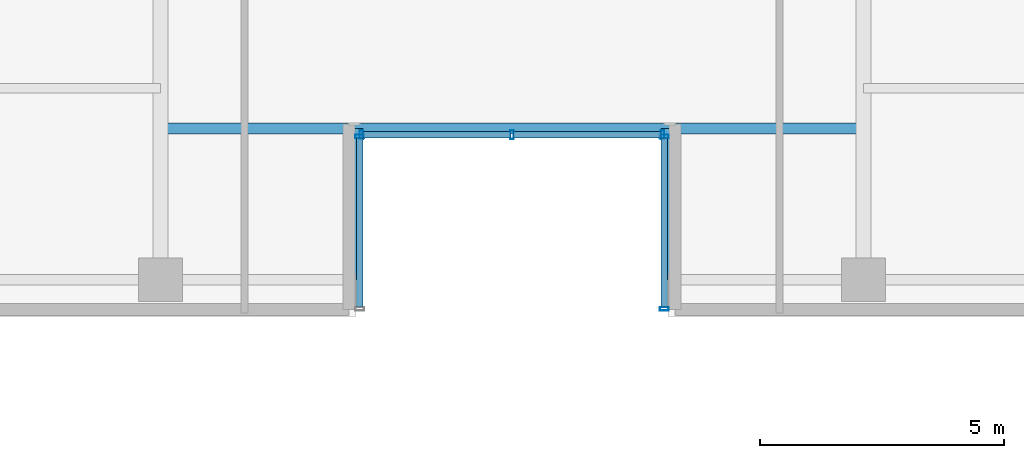
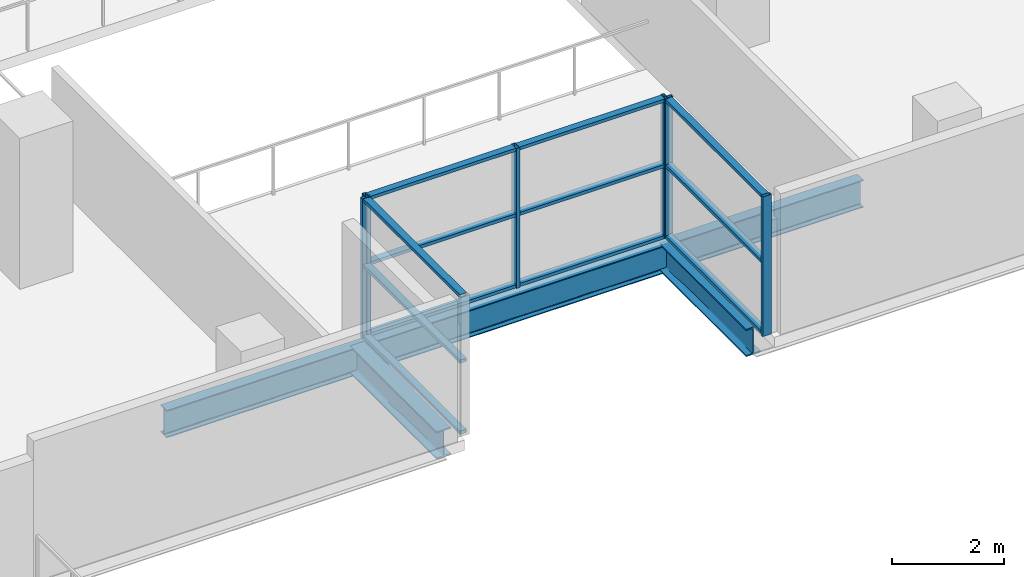
# One storey, part 6 of 26: 18 members, 3 beams, 3 elements without a shape of their own.
"""IFC4 building model written with IfcOpenShell, lengths in metres."""

from ifc_helpers import new_model, si_unit, direction, frame, origin, origin_2d, place, context, subcontext, project, spatial, hollow_rectangle, i_section, extrude, source, transform, mapped, material, layer, layer_set, material_profile, profile_set, type_object, element, aggregate, save


model = new_model("IFC4")

# Units and contexts
model_context = context("Model", 3, precision=1e-05, world=origin(), true_north=direction((0.0, 1.0)))
body_context = subcontext(model_context, "Body", "Model", "MODEL_VIEW")
ifc_project = project(units=[si_unit("LENGTHUNIT", "METRE"), si_unit("AREAUNIT", "SQUARE_METRE"), si_unit("VOLUMEUNIT", "CUBIC_METRE"), si_unit("PLANEANGLEUNIT", "RADIAN"), si_unit("MASSUNIT", "GRAM", prefix="KILO")], contexts=[model_context])

# Site, building, storey
site_placement = place(None, origin())
site = spatial("IfcSite", under=ifc_project, at=site_placement, CompositionType="ELEMENT")
building_placement = place(site_placement, origin())
building = spatial("IfcBuilding", under=site, at=building_placement, Name="Zarnakvel Exchange Tower", CompositionType="ELEMENT")
storey_placement = place(building_placement, frame((0.0, 0.0, 63.699951171875)))
storey = spatial("IfcBuildingStorey", under=building, at=storey_placement, Name="L17", CompositionType="ELEMENT", Elevation=63.699951171875)

# Beams
ifc_material_1 = material(Name="Steel S355", Category="steel")
ifc_material_profile_1 = material_profile(ifc_material_1, i_section(OverallWidth=0.300048828125, OverallDepth=0.60009765625, WebThickness=0.015380859375, FlangeThickness=0.030029296875, FilletRadius=0.027099609375, at=origin_2d()))
ifc_profile_set_1 = profile_set([ifc_material_profile_1], Name="Steel S355")
beam_type_1 = type_object("IfcBeamType", Name="G-04", PredefinedType="BEAM", material=ifc_profile_set_1)
for number, where, z_axis, x_axis, name in (
    (1, (-3.199951171875, -17.449951171875, -0.52490234375), (0.0, 1.0, 0.0), (-1.0, 0.0, 0.0), "L17 South Slot West Cheek Beam"),
    (2, (3.199951171875, -17.449951171875, -0.52490234375), (0.0, 1.0, 0.0), (-1.0, 0.0, 0.0), "L17 South Slot East Cheek Beam"),
):
    element("IfcBeam", number, at=place(storey_placement, frame(where, z_axis=z_axis, x_axis=x_axis)), inside=storey, type_object=beam_type_1, Name=name, PredefinedType="BEAM", context=body_context, shape_type="SweptSolid", body=[
        extrude(i_section(OverallWidth=0.300048828125, OverallDepth=0.60009765625, WebThickness=0.015380859375, FlangeThickness=0.030029296875, FilletRadius=0.027099609375, at=origin_2d()), origin(), (0.0, 0.0, 1.0), 3.099853515625),
    ])
ifc_material_profile_2 = material_profile(ifc_material_1, i_section(OverallWidth=0.219970703125, OverallDepth=0.60009765625, WebThickness=0.011962890625, FlangeThickness=0.01904296875, FilletRadius=0.02392578125, at=origin_2d()))
ifc_profile_set_2 = profile_set([ifc_material_profile_2], Name="Steel S355")
beam_type_2 = type_object("IfcBeamType", Name="SP-01", PredefinedType="SPANDREL", material=ifc_profile_set_2)
beam_placement = place(storey_placement, frame((-7.199951171875, -14.35009765625, -0.52490234375), z_axis=(1.0, 0.0, 0.0), x_axis=(0.0, 1.0, 0.0)))
element("IfcBeam", 3, at=beam_placement, inside=storey, type_object=beam_type_2, Name="L17 South Slot Head Trimmer Girder", PredefinedType="SPANDREL", context=body_context, shape_type="SweptSolid", body=[
    extrude(i_section(OverallWidth=0.219970703125, OverallDepth=0.60009765625, WebThickness=0.011962890625, FlangeThickness=0.01904296875, FilletRadius=0.02392578125, at=origin_2d()), origin(), (0.0, 0.0, 1.0), 14.39990234375),
])

# Curtain wall, members
ifc_material_2 = material(Name="Architectural Bronze Anodised Aluminium", Category="aluminium")
ifc_layer = layer(ifc_material_2, 0.179931640625)
ifc_layer_set = layer_set([ifc_layer], Name="Architectural Bronze Anodised Aluminium")
curtain_wall_type = type_object("IfcCurtainWallType", Name="CW-05", PredefinedType="NOTDEFINED", material=ifc_layer_set)
curtain_wall_1_placement = place(storey_placement, origin())
curtain_wall_1 = element("IfcCurtainWall", 4, at=curtain_wall_1_placement, inside=storey, type_object=curtain_wall_type, Name="L17 Curtain Wall CW-L17-SLW (CW-05)", PredefinedType="NOTDEFINED")
ifc_material_profile_3 = material_profile(ifc_material_2, hollow_rectangle(XDim=0.139892578125, YDim=0.070068359375, WallThickness=0.00390625, at=origin_2d()))
ifc_profile_set_3 = profile_set([ifc_material_profile_3], Name="Architectural Bronze Anodised Aluminium")
member_type_1 = type_object("IfcMemberType", Name="CWT-05", PredefinedType="USERDEFINED", material=ifc_profile_set_3)
shared_shape_1 = source(origin(), body_context, "Body", "SweptSolid", [
    extrude(hollow_rectangle(XDim=0.139892578125, YDim=0.070068359375, WallThickness=0.00390625, at=origin_2d()), origin(), (0.0, 0.0, 1.0), 3.4599609375),
])
member_1_placement = place(storey_placement, frame((-3.1201171875, -18.010009765625, 0.03515625), z_axis=(0.0, 1.0, 0.0), x_axis=(-1.0, 0.0, 0.0)))
member_1 = element("IfcMember", 5, at=member_1_placement, type_object=member_type_1, Name="CW-05 transom 1.1", ObjectType="TRANSOM", PredefinedType="USERDEFINED", context=body_context, shape_type="MappedRepresentation", body=[
    mapped(shared_shape_1, transform((0.0, 0.0, 0.0), x_axis=(1.0, 0.0, 0.0), y_axis=(0.0, 1.0, 0.0), z_axis=(0.0, 0.0, 1.0), scale=1.0)),
])
member_2_placement = place(storey_placement, frame((-3.1201171875, -18.010009765625, 1.588623046875), z_axis=(0.0, 1.0, 0.0), x_axis=(-1.0, 0.0, 0.0)))
member_2 = element("IfcMember", 6, at=member_2_placement, type_object=member_type_1, Name="CW-05 transom 1.2", ObjectType="TRANSOM", PredefinedType="USERDEFINED", context=body_context, shape_type="MappedRepresentation", body=[
    mapped(shared_shape_1, transform((0.0, 0.0, 0.0), x_axis=(1.0, 0.0, 0.0), y_axis=(0.0, 1.0, 0.0), z_axis=(0.0, 0.0, 1.0), scale=1.0)),
])
member_3_placement = place(storey_placement, frame((-3.1201171875, -18.010009765625, 3.02001953125), z_axis=(0.0, 1.0, 0.0), x_axis=(-1.0, 0.0, 0.0)))
member_3 = element("IfcMember", 7, at=member_3_placement, type_object=member_type_1, Name="CW-05 transom 1.3", ObjectType="TRANSOM", PredefinedType="USERDEFINED", context=body_context, shape_type="MappedRepresentation", body=[
    mapped(shared_shape_1, transform((0.0, 0.0, 0.0), x_axis=(1.0, 0.0, 0.0), y_axis=(0.0, 1.0, 0.0), z_axis=(0.0, 0.0, 1.0), scale=1.0)),
])

curtain_wall_2_placement = place(storey_placement, origin())
curtain_wall_2 = element("IfcCurtainWall", 8, at=curtain_wall_2_placement, inside=storey, type_object=curtain_wall_type, Name="L17 Curtain Wall CW-L17-SLE (CW-05)", PredefinedType="NOTDEFINED")
member_4_placement = place(storey_placement, frame((3.1201171875, -14.550048828125, 0.03515625), z_axis=(0.0, -1.0, 0.0), x_axis=(1.0, 0.0, 0.0)))
member_4 = element("IfcMember", 9, at=member_4_placement, type_object=member_type_1, Name="CW-05 transom 1.1", ObjectType="TRANSOM", PredefinedType="USERDEFINED", context=body_context, shape_type="MappedRepresentation", body=[
    mapped(shared_shape_1, transform((0.0, 0.0, 0.0), x_axis=(1.0, 0.0, 0.0), y_axis=(0.0, 1.0, 0.0), z_axis=(0.0, 0.0, 1.0), scale=1.0)),
])
member_5_placement = place(storey_placement, frame((3.1201171875, -14.550048828125, 1.588623046875), z_axis=(0.0, -1.0, 0.0), x_axis=(1.0, 0.0, 0.0)))
member_5 = element("IfcMember", 10, at=member_5_placement, type_object=member_type_1, Name="CW-05 transom 1.2", ObjectType="TRANSOM", PredefinedType="USERDEFINED", context=body_context, shape_type="MappedRepresentation", body=[
    mapped(shared_shape_1, transform((0.0, 0.0, 0.0), x_axis=(1.0, 0.0, 0.0), y_axis=(0.0, 1.0, 0.0), z_axis=(0.0, 0.0, 1.0), scale=1.0)),
])
member_6_placement = place(storey_placement, frame((3.1201171875, -14.550048828125, 3.02001953125), z_axis=(0.0, -1.0, 0.0), x_axis=(1.0, 0.0, 0.0)))
member_6 = element("IfcMember", 11, at=member_6_placement, type_object=member_type_1, Name="CW-05 transom 1.3", ObjectType="TRANSOM", PredefinedType="USERDEFINED", context=body_context, shape_type="MappedRepresentation", body=[
    mapped(shared_shape_1, transform((0.0, 0.0, 0.0), x_axis=(1.0, 0.0, 0.0), y_axis=(0.0, 1.0, 0.0), z_axis=(0.0, 0.0, 1.0), scale=1.0)),
])

curtain_wall_3_placement = place(storey_placement, origin())
curtain_wall_3 = element("IfcCurtainWall", 12, at=curtain_wall_3_placement, inside=storey, type_object=curtain_wall_type, Name="L17 Curtain Wall CW-L17-SLB (CW-05)", PredefinedType="NOTDEFINED")
shared_shape_2 = source(origin(), body_context, "Body", "SweptSolid", [
    extrude(hollow_rectangle(XDim=0.139892578125, YDim=0.070068359375, WallThickness=0.00390625, at=origin_2d()), origin(), (0.0, 0.0, 1.0), 3.01513671875),
])
member_7_placement = place(storey_placement, frame((-3.050048828125, -14.47998046875, 0.03515625), z_axis=(1.0, 0.0, 0.0), x_axis=(0.0, 1.0, 0.0)))
member_7 = element("IfcMember", 13, at=member_7_placement, type_object=member_type_1, Name="CW-05 transom 1.1", ObjectType="TRANSOM", PredefinedType="USERDEFINED", context=body_context, shape_type="MappedRepresentation", body=[
    mapped(shared_shape_2, transform((0.0, 0.0, 0.0), x_axis=(1.0, 0.0, 0.0), y_axis=(0.0, 1.0, 0.0), z_axis=(0.0, 0.0, 1.0), scale=1.0)),
])
member_8_placement = place(storey_placement, frame((-3.050048828125, -14.47998046875, 1.588623046875), z_axis=(1.0, 0.0, 0.0), x_axis=(0.0, 1.0, 0.0)))
member_8 = element("IfcMember", 14, at=member_8_placement, type_object=member_type_1, Name="CW-05 transom 1.2", ObjectType="TRANSOM", PredefinedType="USERDEFINED", context=body_context, shape_type="MappedRepresentation", body=[
    mapped(shared_shape_2, transform((0.0, 0.0, 0.0), x_axis=(1.0, 0.0, 0.0), y_axis=(0.0, 1.0, 0.0), z_axis=(0.0, 0.0, 1.0), scale=1.0)),
])
member_9_placement = place(storey_placement, frame((-3.050048828125, -14.47998046875, 3.02001953125), z_axis=(1.0, 0.0, 0.0), x_axis=(0.0, 1.0, 0.0)))
member_9 = element("IfcMember", 15, at=member_9_placement, type_object=member_type_1, Name="CW-05 transom 1.3", ObjectType="TRANSOM", PredefinedType="USERDEFINED", context=body_context, shape_type="MappedRepresentation", body=[
    mapped(shared_shape_2, transform((0.0, 0.0, 0.0), x_axis=(1.0, 0.0, 0.0), y_axis=(0.0, 1.0, 0.0), z_axis=(0.0, 0.0, 1.0), scale=1.0)),
])
member_10_placement = place(storey_placement, frame((0.034912109375, -14.47998046875, 0.03515625), z_axis=(1.0, 0.0, 0.0), x_axis=(0.0, 1.0, 0.0)))
member_10 = element("IfcMember", 16, at=member_10_placement, type_object=member_type_1, Name="CW-05 transom 2.1", ObjectType="TRANSOM", PredefinedType="USERDEFINED", context=body_context, shape_type="MappedRepresentation", body=[
    mapped(shared_shape_2, transform((0.0, 0.0, 0.0), x_axis=(1.0, 0.0, 0.0), y_axis=(0.0, 1.0, 0.0), z_axis=(0.0, 0.0, 1.0), scale=1.0)),
])
member_11_placement = place(storey_placement, frame((0.034912109375, -14.47998046875, 1.588623046875), z_axis=(1.0, 0.0, 0.0), x_axis=(0.0, 1.0, 0.0)))
member_11 = element("IfcMember", 17, at=member_11_placement, type_object=member_type_1, Name="CW-05 transom 2.2", ObjectType="TRANSOM", PredefinedType="USERDEFINED", context=body_context, shape_type="MappedRepresentation", body=[
    mapped(shared_shape_2, transform((0.0, 0.0, 0.0), x_axis=(1.0, 0.0, 0.0), y_axis=(0.0, 1.0, 0.0), z_axis=(0.0, 0.0, 1.0), scale=1.0)),
])
member_12_placement = place(storey_placement, frame((0.034912109375, -14.47998046875, 3.02001953125), z_axis=(1.0, 0.0, 0.0), x_axis=(0.0, 1.0, 0.0)))
member_12 = element("IfcMember", 18, at=member_12_placement, type_object=member_type_1, Name="CW-05 transom 2.3", ObjectType="TRANSOM", PredefinedType="USERDEFINED", context=body_context, shape_type="MappedRepresentation", body=[
    mapped(shared_shape_2, transform((0.0, 0.0, 0.0), x_axis=(1.0, 0.0, 0.0), y_axis=(0.0, 1.0, 0.0), z_axis=(0.0, 0.0, 1.0), scale=1.0)),
])

# Member
ifc_material_profile_4 = material_profile(ifc_material_2, hollow_rectangle(XDim=0.179931640625, YDim=0.070068359375, WallThickness=0.00390625, at=origin_2d()))
ifc_profile_set_4 = profile_set([ifc_material_profile_4], Name="Architectural Bronze Anodised Aluminium")
member_type_2 = type_object("IfcMemberType", Name="CWM-05", PredefinedType="MULLION", material=ifc_profile_set_4)
shared_shape_3 = source(origin(), body_context, "Body", "SweptSolid", [
    extrude(hollow_rectangle(XDim=0.179931640625, YDim=0.070068359375, WallThickness=0.00390625, at=origin_2d()), origin(), (0.0, 0.0, 1.0), 3.054931640625),
])
member_13_placement = place(storey_placement, frame((-3.1201171875, -14.514892578125, 0.0), z_axis=(0.0, 0.0, 1.0), x_axis=(-1.0, 0.0, 0.0)))
member_13 = element("IfcMember", 19, at=member_13_placement, type_object=member_type_2, Name="CW-05 mullion 2", PredefinedType="MULLION", context=body_context, shape_type="MappedRepresentation", body=[
    mapped(shared_shape_3, transform((0.0, 0.0, 0.0), x_axis=(1.0, 0.0, 0.0), y_axis=(0.0, 1.0, 0.0), z_axis=(0.0, 0.0, 1.0), scale=1.0)),
])

aggregate(curtain_wall_1, [member_13, member_1, member_2, member_3])

member_14_placement = place(storey_placement, frame((-3.0849609375, -14.47998046875, 0.0), z_axis=(0.0, 0.0, 1.0), x_axis=(0.0, 1.0, 0.0)))
member_14 = element("IfcMember", 20, at=member_14_placement, type_object=member_type_2, Name="CW-05 mullion 1", PredefinedType="MULLION", context=body_context, shape_type="MappedRepresentation", body=[
    mapped(shared_shape_3, transform((0.0, 0.0, 0.0), x_axis=(1.0, 0.0, 0.0), y_axis=(0.0, 1.0, 0.0), z_axis=(0.0, 0.0, 1.0), scale=1.0)),
])

member_15_placement = place(storey_placement, frame((0.0, -14.47998046875, 0.0), z_axis=(0.0, 0.0, 1.0), x_axis=(0.0, 1.0, 0.0)))
member_15 = element("IfcMember", 21, at=member_15_placement, type_object=member_type_2, Name="CW-05 mullion 2", PredefinedType="MULLION", context=body_context, shape_type="MappedRepresentation", body=[
    mapped(shared_shape_3, transform((0.0, 0.0, 0.0), x_axis=(1.0, 0.0, 0.0), y_axis=(0.0, 1.0, 0.0), z_axis=(0.0, 0.0, 1.0), scale=1.0)),
])

member_16_placement = place(storey_placement, frame((3.0849609375, -14.47998046875, 0.0), z_axis=(0.0, 0.0, 1.0), x_axis=(0.0, 1.0, 0.0)))
member_16 = element("IfcMember", 22, at=member_16_placement, type_object=member_type_2, Name="CW-05 mullion 3", PredefinedType="MULLION", context=body_context, shape_type="MappedRepresentation", body=[
    mapped(shared_shape_3, transform((0.0, 0.0, 0.0), x_axis=(1.0, 0.0, 0.0), y_axis=(0.0, 1.0, 0.0), z_axis=(0.0, 0.0, 1.0), scale=1.0)),
])

aggregate(curtain_wall_3, [member_14, member_15, member_16, member_7, member_8, member_9, member_10, member_11, member_12])

member_17_placement = place(storey_placement, frame((3.1201171875, -14.514892578125, 0.0), z_axis=(0.0, 0.0, 1.0), x_axis=(1.0, 0.0, 0.0)))
member_17 = element("IfcMember", 23, at=member_17_placement, type_object=member_type_2, Name="CW-05 mullion 1", PredefinedType="MULLION", context=body_context, shape_type="MappedRepresentation", body=[
    mapped(shared_shape_3, transform((0.0, 0.0, 0.0), x_axis=(1.0, 0.0, 0.0), y_axis=(0.0, 1.0, 0.0), z_axis=(0.0, 0.0, 1.0), scale=1.0)),
])

member_18_placement = place(storey_placement, frame((3.1201171875, -18.044921875, 0.0), z_axis=(0.0, 0.0, 1.0), x_axis=(1.0, 0.0, 0.0)))
member_18 = element("IfcMember", 24, at=member_18_placement, type_object=member_type_2, Name="CW-05 mullion 2", PredefinedType="MULLION", context=body_context, shape_type="MappedRepresentation", body=[
    mapped(shared_shape_3, transform((0.0, 0.0, 0.0), x_axis=(1.0, 0.0, 0.0), y_axis=(0.0, 1.0, 0.0), z_axis=(0.0, 0.0, 1.0), scale=1.0)),
])

aggregate(curtain_wall_2, [member_17, member_18, member_4, member_5, member_6])

save(model, "model.ifc")
